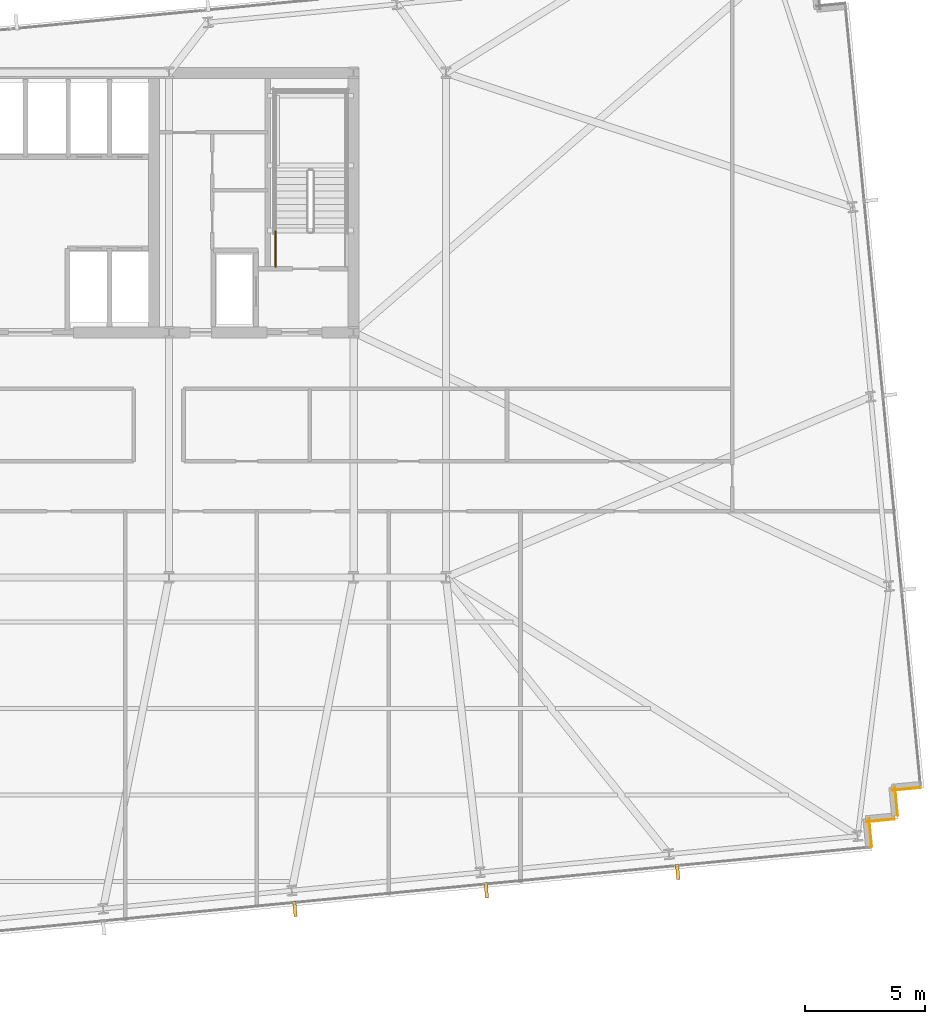
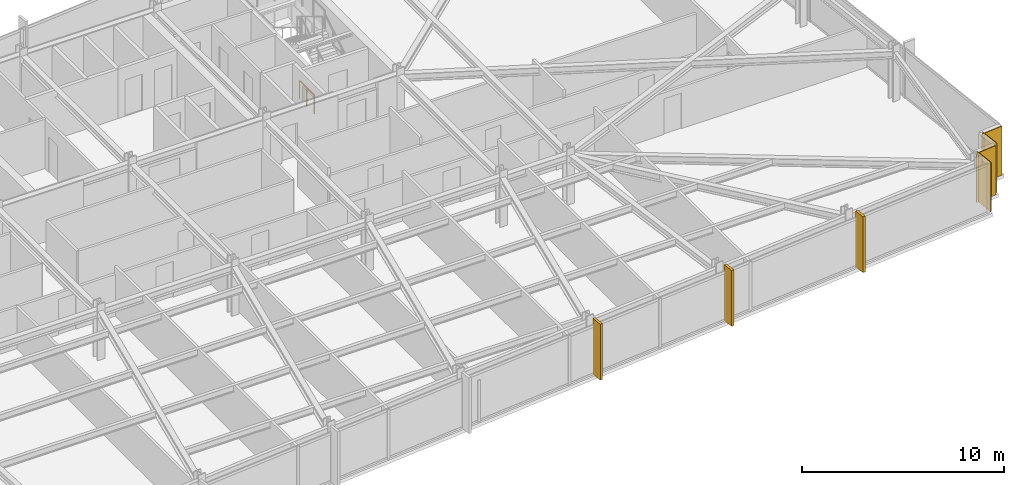
# One storey, part 29 of 32: 4 coverings, 3 shading devices, 1 railing.
"""IFC4 building model written with IfcOpenShell, lengths in metres."""

from ifc_helpers import new_model, si_unit, direction, frame, frame_2d, origin, origin_2d, place, context, subcontext, project, spatial, rectangle, circle, extrude, material, layer, layer_set, type_object, element, save


model = new_model("IFC4")

# Units and contexts
model_context = context("Model", 3, precision=1e-05, world=origin(), true_north=direction((0.0, 1.0)))
body_context = subcontext(model_context, "Body", "Model", "MODEL_VIEW")
ifc_project = project(units=[si_unit("LENGTHUNIT", "METRE"), si_unit("AREAUNIT", "SQUARE_METRE"), si_unit("VOLUMEUNIT", "CUBIC_METRE"), si_unit("PLANEANGLEUNIT", "RADIAN"), si_unit("MASSUNIT", "GRAM", prefix="KILO")], contexts=[model_context])

# Site, building, storey
site_placement = place(None, origin())
site = spatial("IfcSite", under=ifc_project, at=site_placement, CompositionType="ELEMENT")
building_placement = place(site_placement, origin())
building = spatial("IfcBuilding", under=site, at=building_placement, Name="Yelkora Congress Tower", CompositionType="ELEMENT")
storey_placement = place(building_placement, frame((0.0, 0.0, 133.89990234375)))
storey = spatial("IfcBuildingStorey", under=building, at=storey_placement, Name="L36", CompositionType="ELEMENT", Elevation=133.89990234375)

# Coverings
ifc_material_1 = material(Name="Anatolian bush-hammered limestone", Category="masonry")
ifc_layer_1 = layer(ifc_material_1, 0.0400390625)
ifc_layer_set_1 = layer_set([ifc_layer_1], Name="Anatolian bush-hammered limestone")
covering_type = type_object("IfcCoveringType", Name="COV-CLAD-SPANDREL-40", PredefinedType="CLADDING", material=ifc_layer_set_1)
for number, where, z_axis, x_axis, name in (
    (1, (77.360595703125, 16.451416015625, 0.0), (0.0, 0.0, 1.0), (-0.995377661201, -0.096038073607, 0.0), "L36 Anatolian Limestone Cladding EW-L36-SR16"),
    (2, (76.28759765625, 16.483642578125, 0.0), (0.0, 0.0, 1.0), (0.095836473879, -0.995397091755, 0.0), "L36 Anatolian Limestone Cladding EW-L36-SR17"),
    (3, (76.28125, 15.141845703125, 0.0), (0.0, 0.0, 1.0), (-0.995397091755, -0.095836473879, 0.0), "L36 Anatolian Limestone Cladding EW-L36-SR18"),
):
    element("IfcCovering", number, at=place(storey_placement, frame(where, z_axis=z_axis, x_axis=x_axis)), inside=storey, type_object=covering_type, Name=name, PredefinedType="CLADDING", context=body_context, shape_type="SweptSolid", body=[
        extrude(rectangle(XDim=1.199951171875, YDim=0.0400390625, at=frame_2d((0.60009765625, 0.0))), origin(), (0.0, 0.0, 1.0), 2.97998046875),
    ])
covering_placement = place(storey_placement, frame((75.208251953125, 15.17431640625, 0.0), z_axis=(0.0, 0.0, 1.0), x_axis=(0.095817067274, -0.995398960025, 0.0)))
element("IfcCovering", 4, at=covering_placement, inside=storey, type_object=covering_type, Name="L36 Anatolian Limestone Cladding EW-L36-SR19", PredefinedType="CLADDING", context=body_context, shape_type="SweptSolid", body=[
    extrude(rectangle(XDim=1.2001953125, YDim=0.0400390625, at=frame_2d((0.60009765625, 0.0))), origin(), (0.0, 0.0, 1.0), 2.97998046875),
])

# Railing
ifc_material_2 = material(Name="Painted galvanised steel stair well guard with vertical infill", Category="steel")
ifc_layer_2 = layer(ifc_material_2, 0.06005859375)
ifc_layer_set_2 = layer_set([ifc_layer_2], Name="Painted galvanised steel stair well guard with vertical infill")
railing_type = type_object("IfcRailingType", Name="RAIL-STAIR-GUARD-1120", PredefinedType="GUARDRAIL", material=ifc_layer_set_2)
railing_placement = place(storey_placement, frame((50.510009765625, 38.1201171875, 0.0)))
element("IfcRailing", 5, at=railing_placement, inside=storey, type_object=railing_type, Name="ST-02 L36 Stair Well Guardrail 9", PredefinedType="GUARDRAIL", context=body_context, shape_type="SweptSolid", body=[
    extrude(circle(Radius=0.02392578125, at=origin_2d()), frame((0.0, 0.0, 1.09619140625), z_axis=(0.0, 1.0, 0.0), x_axis=(-1.0, 0.0, 0.0)), (0.0, 0.0, 1.0), 1.47998046875),
    extrude(circle(Radius=0.02099609375, at=origin_2d()), origin(), (0.0, 0.0, 1.0), 1.072021484375),
    extrude(circle(Radius=0.02099609375, at=origin_2d()), frame((0.0, 0.739990234375, 0.0)), (0.0, 0.0, 1.0), 1.072021484375),
    extrude(circle(Radius=0.02099609375, at=origin_2d()), frame((0.0, 1.47998046875, 0.0)), (0.0, 0.0, 1.0), 1.072021484375),
])

# Shading devices
ifc_material_3 = material(Name="Champagne anodised aluminium", Category="aluminium")
ifc_layer_3 = layer(ifc_material_3, 3.39990234375)
ifc_layer_set_3 = layer_set([ifc_layer_3], Name="Champagne anodised aluminium")
shading_device_type = type_object("IfcShadingDeviceType", Name="SHD-FIN-ALU-640", PredefinedType="USERDEFINED", material=ifc_layer_set_3)
for number, where, z_axis, x_axis, name in (
    (6, (67.247802734375, 12.94091796875, -0.02978515625), (0.0, 0.0, 1.0), (-0.995396198367, -0.09584575252, 0.0), "L36 Vertical Anodised Solar Fin 20-1"),
    (7, (59.28173828125, 12.173828125, -0.02978515625), (0.0, 0.0, 1.0), (-0.995396198367, -0.09584575252, 0.0), "L36 Vertical Anodised Solar Fin 20-2"),
    (8, (51.315673828125, 11.40673828125, -0.02978515625), (0.0, 0.0, 1.0), (-0.995396198367, -0.09584575252, 0.0), "L36 Vertical Anodised Solar Fin 20-3"),
):
    element("IfcShadingDevice", number, at=place(storey_placement, frame(where, z_axis=z_axis, x_axis=x_axis)), inside=storey, type_object=shading_device_type, Name=name, ObjectType="FIN", PredefinedType="USERDEFINED", context=body_context, shape_type="SweptSolid", body=[
        extrude(rectangle(XDim=0.139892578125, YDim=0.639892578125, at=origin_2d()), origin(), (0.0, 0.0, 1.0), 3.3798828125),
    ])

save(model, "model.ifc")
